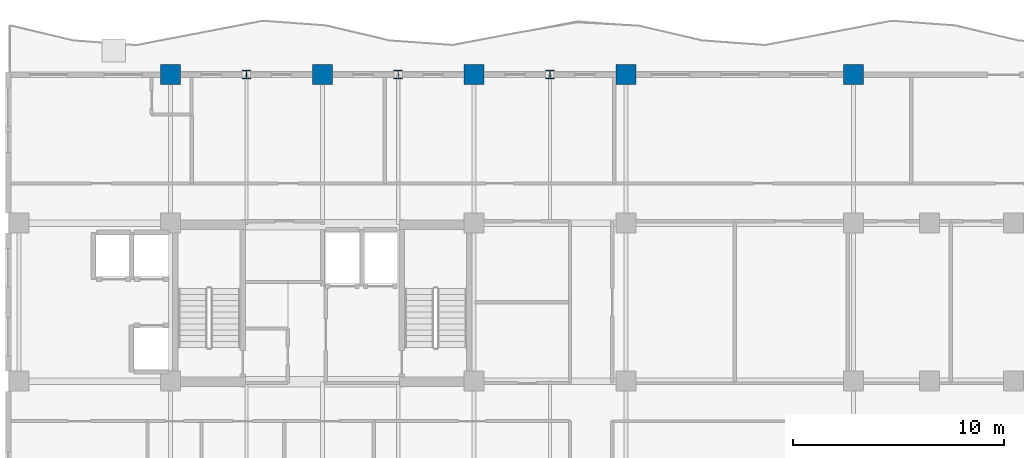
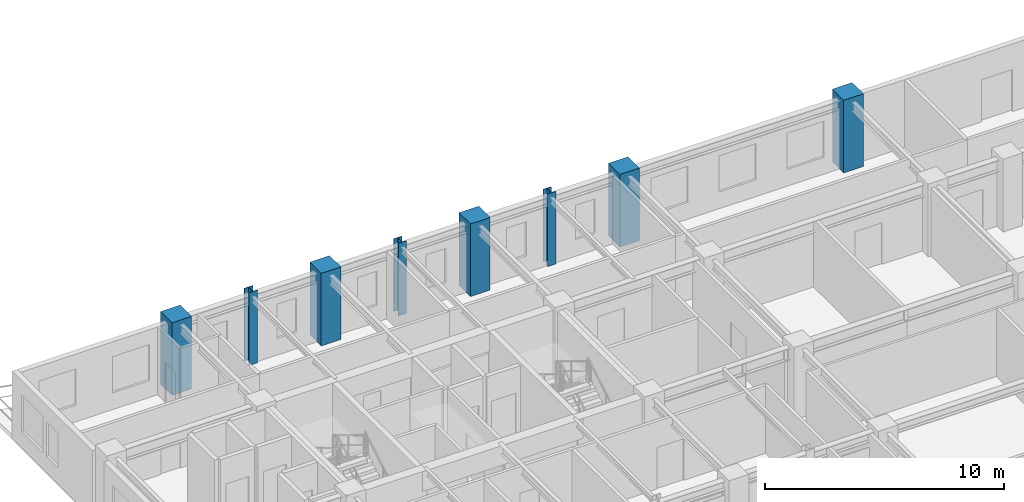
# One storey, part 3 of 16: 8 columns.
"""IFC4 building model written with IfcOpenShell, lengths in metres."""

from ifc_helpers import new_model, si_unit, direction, frame, origin, origin_2d, place, context, subcontext, project, spatial, rectangle, i_section, extrude, source, transform, mapped, material, material_profile, profile_set, type_object, element, save


model = new_model("IFC4")

# Units and contexts
model_context = context("Model", 3, precision=1e-05, world=origin(), true_north=direction((0.0, 1.0)))
body_context = subcontext(model_context, "Body", "Model", "MODEL_VIEW")
ifc_project = project(units=[si_unit("LENGTHUNIT", "METRE"), si_unit("AREAUNIT", "SQUARE_METRE"), si_unit("VOLUMEUNIT", "CUBIC_METRE"), si_unit("PLANEANGLEUNIT", "RADIAN"), si_unit("MASSUNIT", "GRAM", prefix="KILO")], contexts=[model_context])

# Site, building, storey
site_placement = place(None, origin())
site = spatial("IfcSite", under=ifc_project, at=site_placement, CompositionType="ELEMENT")
building_placement = place(site_placement, origin())
building = spatial("IfcBuilding", under=site, at=building_placement, Name="Kaliganga Portal Commons", CompositionType="ELEMENT")
storey_placement = place(building_placement, frame((0.0, 0.0, 205.5)))
storey = spatial("IfcBuildingStorey", under=building, at=storey_placement, Name="L52", CompositionType="ELEMENT", Elevation=205.5)

# Columns
ifc_material_1 = material(Name="Concrete C50/60", Category="concrete")
ifc_material_profile_1 = material_profile(ifc_material_1, rectangle(XDim=0.949951171875, YDim=0.949951171875, at=origin_2d()), Name="RC 950x950")
ifc_profile_set_1 = profile_set([ifc_material_profile_1], Name="Concrete C50/60")
column_type_1 = type_object("IfcColumnType", Name="COL-MEGA-Z4", PredefinedType="COLUMN", material=ifc_profile_set_1)
shared_shape_1 = source(origin(), body_context, "Body", "SweptSolid", [
    extrude(rectangle(XDim=0.949951171875, YDim=0.949951171875, at=origin_2d()), origin(), (0.0, 0.0, 1.0), 3.699951171875),
])
for number, where, z_axis, x_axis, name in (
    (1, (14.39990234375, 43.199951171875, 0.0), (0.0, 0.0, 1.0), (1.0, 0.0, 0.0), "Column MC-05 L52"),
    (2, (21.60009765625, 43.199951171875, 0.0), (0.0, 0.0, 1.0), (1.0, 0.0, 0.0), "Column MC-05 L52"),
    (3, (28.800048828125, 43.199951171875, 0.0), (0.0, 0.0, 1.0), (1.0, 0.0, 0.0), "Column MC-05 L52"),
    (4, (36.0, 43.199951171875, 0.0), (0.0, 0.0, 1.0), (1.0, 0.0, 0.0), "Column MC-05 L52"),
    (5, (46.800048828125, 43.199951171875, 0.0), (0.0, 0.0, 1.0), (1.0, 0.0, 0.0), "Column MC-05 L52"),
):
    element("IfcColumn", number, at=place(storey_placement, frame(where, z_axis=z_axis, x_axis=x_axis)), inside=storey, type_object=column_type_1, Name=name, PredefinedType="COLUMN", context=body_context, shape_type="MappedRepresentation", body=[
        mapped(shared_shape_1, transform((0.0, 0.0, 0.0), x_axis=(1.0, 0.0, 0.0), y_axis=(0.0, 1.0, 0.0), z_axis=(0.0, 0.0, 1.0), scale=1.0)),
    ])
ifc_material_2 = material(Name="Structural steel S355J2", Category="steel")
ifc_material_profile_2 = material_profile(ifc_material_2, i_section(OverallWidth=0.39892578125, OverallDepth=0.39990234375, WebThickness=0.017333984375, FlangeThickness=0.0234375, FilletRadius=0.014892578125, at=origin_2d()), Name="HD 400x287")
ifc_profile_set_2 = profile_set([ifc_material_profile_2], Name="Structural steel S355J2 wide-flange")
column_type_2 = type_object("IfcColumnType", Name="COL-TUBE-B4", PredefinedType="COLUMN", material=ifc_profile_set_2)
shared_shape_2 = source(origin(), body_context, "Body", "SweptSolid", [
    extrude(i_section(OverallWidth=0.39892578125, OverallDepth=0.39990234375, WebThickness=0.017333984375, FlangeThickness=0.0234375, FilletRadius=0.014892578125, at=origin_2d()), origin(), (0.0, 0.0, 1.0), 3.699951171875),
])
for number, where, z_axis, x_axis, name in (
    (6, (18.0, 43.199951171875, 0.0), (0.0, 0.0, 1.0), (1.0, 0.0, 0.0), "Column TC-04 L52"),
    (7, (25.199951171875, 43.199951171875, 0.0), (0.0, 0.0, 1.0), (1.0, 0.0, 0.0), "Column TC-04 L52"),
    (8, (32.39990234375, 43.199951171875, 0.0), (0.0, 0.0, 1.0), (1.0, 0.0, 0.0), "Column TC-04 L52"),
):
    element("IfcColumn", number, at=place(storey_placement, frame(where, z_axis=z_axis, x_axis=x_axis)), inside=storey, type_object=column_type_2, Name=name, PredefinedType="COLUMN", context=body_context, shape_type="MappedRepresentation", body=[
        mapped(shared_shape_2, transform((0.0, 0.0, 0.0), x_axis=(1.0, 0.0, 0.0), y_axis=(0.0, 1.0, 0.0), z_axis=(0.0, 0.0, 1.0), scale=1.0)),
    ])

save(model, "model.ifc")
